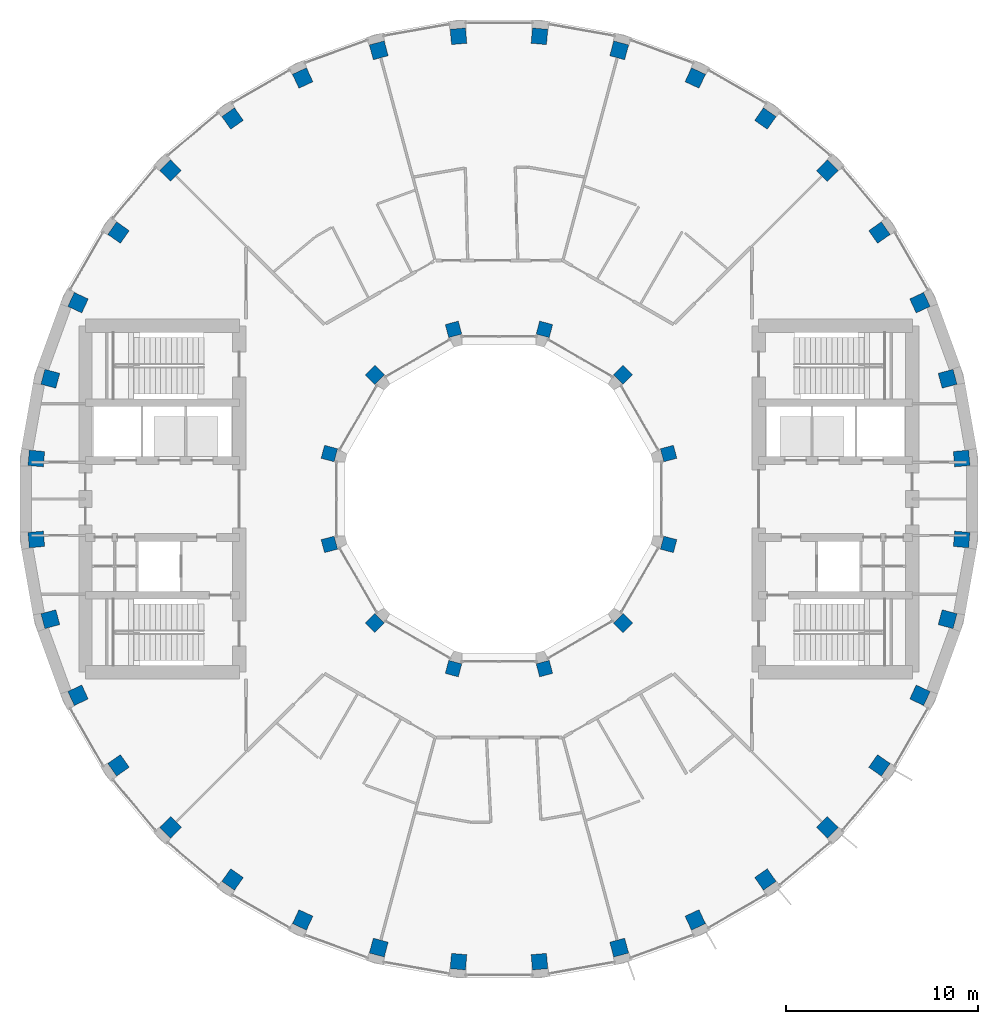
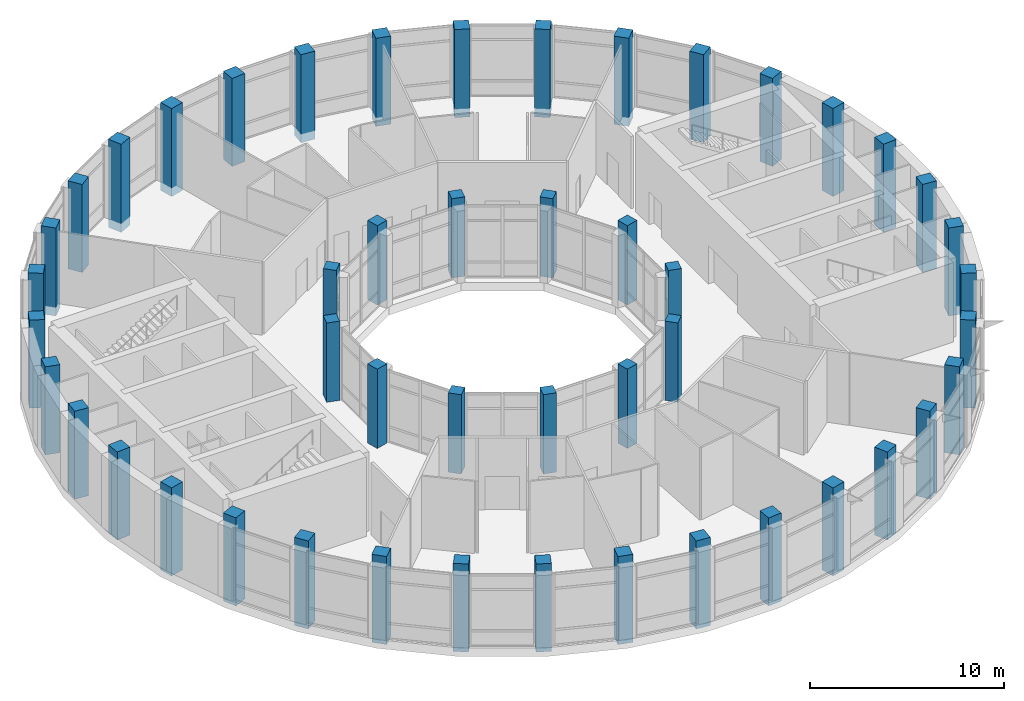
# One storey, part 1 of 18: 48 columns.
"""IFC4 building model written with IfcOpenShell, lengths in metres."""

from ifc_helpers import new_model, si_unit, direction, frame, origin, origin_2d, place, context, subcontext, project, spatial, rectangle, extrude, material, material_profile, profile_set, type_object, element, save


model = new_model("IFC4")

# Units and contexts
model_context = context("Model", 3, precision=1e-05, world=origin(), true_north=direction((0.0, 1.0)))
body_context = subcontext(model_context, "Body", "Model", "MODEL_VIEW")
ifc_project = project(units=[si_unit("LENGTHUNIT", "METRE"), si_unit("AREAUNIT", "SQUARE_METRE"), si_unit("VOLUMEUNIT", "CUBIC_METRE"), si_unit("PLANEANGLEUNIT", "RADIAN"), si_unit("MASSUNIT", "GRAM", prefix="KILO")], contexts=[model_context])

# Site, building, storey
site_placement = place(None, origin())
site = spatial("IfcSite", under=ifc_project, at=site_placement, CompositionType="ELEMENT")
building_placement = place(site_placement, origin())
building = spatial("IfcBuilding", under=site, at=building_placement, Name="Saqina Gate Tower", CompositionType="ELEMENT")
storey_placement = place(building_placement, frame((0.0, 0.0, 155.800048828125)))
storey = spatial("IfcBuildingStorey", under=building, at=storey_placement, Name="L44", CompositionType="ELEMENT", Elevation=155.800048828125)

# Columns
ifc_material_1 = material(Name="Concrete C60/75", Category="concrete")
ifc_material_profile_1 = material_profile(ifc_material_1, rectangle(XDim=0.699951171875, YDim=0.699951171875, at=origin_2d()), Name="RC 700x700")
ifc_profile_set_1 = profile_set([ifc_material_profile_1], Name="Concrete C60/75")
column_type_1 = type_object("IfcColumnType", Name="STR-COL-IN-C", PredefinedType="COLUMN", material=ifc_profile_set_1)
for number, where, z_axis, x_axis, name in (
    (1, (8.821044921875, 2.363525390625, 0.0), (0.0, 0.0, 1.0), (0.965925826289, 0.258819045103, 0.0), "L44-ICL01"),
    (2, (6.45751953125, 6.45751953125, 0.0), (0.0, 0.0, 1.0), (0.707106781187, 0.707106781187, 0.0), "L44-ICL02"),
    (3, (2.363525390625, 8.821044921875, 0.0), (0.0, 0.0, 1.0), (0.258819045103, 0.965925826289, 0.0), "L44-ICL03"),
    (4, (-2.363525390625, 8.821044921875, 0.0), (0.0, 0.0, 1.0), (-0.258819045103, 0.965925826289, 0.0), "L44-ICL04"),
    (5, (-6.45751953125, 6.45751953125, 0.0), (0.0, 0.0, 1.0), (-0.707106781187, 0.707106781187, 0.0), "L44-ICL05"),
    (6, (-8.821044921875, 2.363525390625, 0.0), (0.0, 0.0, 1.0), (-0.965925826289, 0.258819045103, 0.0), "L44-ICL06"),
    (7, (-8.821044921875, -2.363525390625, 0.0), (0.0, 0.0, 1.0), (-0.965925826289, -0.258819045103, 0.0), "L44-ICL07"),
    (8, (-6.45751953125, -6.45751953125, 0.0), (0.0, 0.0, 1.0), (-0.707106781187, -0.707106781187, 0.0), "L44-ICL08"),
    (9, (-2.363525390625, -8.821044921875, 0.0), (0.0, 0.0, 1.0), (-0.258819045103, -0.965925826289, 0.0), "L44-ICL09"),
    (10, (2.363525390625, -8.821044921875, 0.0), (0.0, 0.0, 1.0), (0.258819045103, -0.965925826289, 0.0), "L44-ICL10"),
    (11, (6.45751953125, -6.45751953125, 0.0), (0.0, 0.0, 1.0), (0.707106781187, -0.707106781187, 0.0), "L44-ICL11"),
    (12, (8.821044921875, -2.363525390625, 0.0), (0.0, 0.0, 1.0), (0.965925826289, -0.258819045103, 0.0), "L44-ICL12"),
):
    element("IfcColumn", number, at=place(storey_placement, frame(where, z_axis=z_axis, x_axis=x_axis)), inside=storey, type_object=column_type_1, Name=name, PredefinedType="COLUMN", context=body_context, shape_type="SweptSolid", body=[
        extrude(rectangle(XDim=0.699951171875, YDim=0.699951171875, at=origin_2d()), origin(), (0.0, 0.0, 1.0), 5.0),
    ])
ifc_material_2 = material(Name="Concrete C60/75", Category="concrete")
ifc_material_profile_2 = material_profile(ifc_material_2, rectangle(XDim=0.800048828125, YDim=0.800048828125, at=origin_2d()), Name="RC 800x800")
ifc_profile_set_2 = profile_set([ifc_material_profile_2], Name="Concrete C60/75")
column_type_2 = type_object("IfcColumnType", Name="STR-COL-OUT-C", PredefinedType="COLUMN", material=ifc_profile_set_2)
for number, where, z_axis, x_axis, name in (
    (13, (24.05810546875, 2.104736328125, -0.550048828125), (0.0, 0.0, 1.0), (0.996194698092, 0.087155742748, 0.0), "L44-COL01"),
    (14, (23.3271484375, 6.25048828125, -0.550048828125), (0.0, 0.0, 1.0), (0.965925826289, 0.258819045103, 0.0), "L44-COL02"),
    (15, (21.887451171875, 10.206298828125, -0.550048828125), (0.0, 0.0, 1.0), (0.906307787037, 0.422618261741, 0.0), "L44-COL03"),
    (16, (19.782470703125, 13.851806640625, -0.550048828125), (0.0, 0.0, 1.0), (0.819152044289, 0.573576436351, 0.0), "L44-COL04"),
    (17, (17.07666015625, 17.07666015625, -0.550048828125), (0.0, 0.0, 1.0), (0.707106781187, 0.707106781187, 0.0), "L44-COL05"),
    (18, (13.851806640625, 19.782470703125, -0.550048828125), (0.0, 0.0, 1.0), (0.573576436351, 0.819152044289, 0.0), "L44-COL06"),
    (19, (10.206298828125, 21.887451171875, -0.550048828125), (0.0, 0.0, 1.0), (0.422618261741, 0.906307787037, 0.0), "L44-COL07"),
    (20, (6.25048828125, 23.3271484375, -0.550048828125), (0.0, 0.0, 1.0), (0.258819045103, 0.965925826289, 0.0), "L44-COL08"),
    (21, (2.104736328125, 24.05810546875, -0.550048828125), (0.0, 0.0, 1.0), (0.087155742748, 0.996194698092, 0.0), "L44-COL09"),
    (22, (-2.104736328125, 24.05810546875, -0.550048828125), (0.0, 0.0, 1.0), (-0.087155742748, 0.996194698092, 0.0), "L44-COL10"),
    (23, (-6.25048828125, 23.3271484375, -0.550048828125), (0.0, 0.0, 1.0), (-0.258819045103, 0.965925826289, 0.0), "L44-COL11"),
    (24, (-10.206298828125, 21.887451171875, -0.550048828125), (0.0, 0.0, 1.0), (-0.422618261741, 0.906307787037, 0.0), "L44-COL12"),
    (25, (-13.851806640625, 19.782470703125, -0.550048828125), (0.0, 0.0, 1.0), (-0.573576436351, 0.819152044289, 0.0), "L44-COL13"),
    (26, (-17.07666015625, 17.07666015625, -0.550048828125), (0.0, 0.0, 1.0), (-0.707106781187, 0.707106781187, 0.0), "L44-COL14"),
    (27, (-19.782470703125, 13.851806640625, -0.550048828125), (0.0, 0.0, 1.0), (-0.819152044289, 0.573576436351, 0.0), "L44-COL15"),
    (28, (-21.887451171875, 10.206298828125, -0.550048828125), (0.0, 0.0, 1.0), (-0.906307787037, 0.422618261741, 0.0), "L44-COL16"),
    (29, (-23.3271484375, 6.25048828125, -0.550048828125), (0.0, 0.0, 1.0), (-0.965925826289, 0.258819045103, 0.0), "L44-COL17"),
    (30, (-24.05810546875, 2.104736328125, -0.550048828125), (0.0, 0.0, 1.0), (-0.996194698092, 0.087155742748, 0.0), "L44-COL18"),
    (31, (-24.05810546875, -2.104736328125, -0.550048828125), (0.0, 0.0, 1.0), (-0.996194698092, -0.087155742748, 0.0), "L44-COL19"),
    (32, (-23.3271484375, -6.25048828125, -0.550048828125), (0.0, 0.0, 1.0), (-0.965925826289, -0.258819045103, 0.0), "L44-COL20"),
    (33, (-21.887451171875, -10.206298828125, -0.550048828125), (0.0, 0.0, 1.0), (-0.906307787037, -0.422618261741, 0.0), "L44-COL21"),
    (34, (-19.782470703125, -13.851806640625, -0.550048828125), (0.0, 0.0, 1.0), (-0.819152044289, -0.573576436351, 0.0), "L44-COL22"),
    (35, (-17.07666015625, -17.07666015625, -0.550048828125), (0.0, 0.0, 1.0), (-0.707106781187, -0.707106781187, 0.0), "L44-COL23"),
    (36, (-13.851806640625, -19.782470703125, -0.550048828125), (0.0, 0.0, 1.0), (-0.573576436351, -0.819152044289, 0.0), "L44-COL24"),
    (37, (-10.206298828125, -21.887451171875, -0.550048828125), (0.0, 0.0, 1.0), (-0.422618261741, -0.906307787037, 0.0), "L44-COL25"),
    (38, (-6.25048828125, -23.3271484375, -0.550048828125), (0.0, 0.0, 1.0), (-0.258819045103, -0.965925826289, 0.0), "L44-COL26"),
    (39, (-2.104736328125, -24.05810546875, -0.550048828125), (0.0, 0.0, 1.0), (-0.087155742748, -0.996194698092, 0.0), "L44-COL27"),
    (40, (2.104736328125, -24.05810546875, -0.550048828125), (0.0, 0.0, 1.0), (0.087155742748, -0.996194698092, 0.0), "L44-COL28"),
    (41, (6.25048828125, -23.3271484375, -0.550048828125), (0.0, 0.0, 1.0), (0.258819045103, -0.965925826289, 0.0), "L44-COL29"),
    (42, (10.206298828125, -21.887451171875, -0.550048828125), (0.0, 0.0, 1.0), (0.422618261741, -0.906307787037, 0.0), "L44-COL30"),
    (43, (13.851806640625, -19.782470703125, -0.550048828125), (0.0, 0.0, 1.0), (0.573576436351, -0.819152044289, 0.0), "L44-COL31"),
    (44, (17.07666015625, -17.07666015625, -0.550048828125), (0.0, 0.0, 1.0), (0.707106781187, -0.707106781187, 0.0), "L44-COL32"),
    (45, (19.782470703125, -13.851806640625, -0.550048828125), (0.0, 0.0, 1.0), (0.819152044289, -0.573576436351, 0.0), "L44-COL33"),
    (46, (21.887451171875, -10.206298828125, -0.550048828125), (0.0, 0.0, 1.0), (0.906307787037, -0.422618261741, 0.0), "L44-COL34"),
    (47, (23.3271484375, -6.25048828125, -0.550048828125), (0.0, 0.0, 1.0), (0.965925826289, -0.258819045103, 0.0), "L44-COL35"),
    (48, (24.05810546875, -2.104736328125, -0.550048828125), (0.0, 0.0, 1.0), (0.996194698092, -0.087155742748, 0.0), "L44-COL36"),
):
    element("IfcColumn", number, at=place(storey_placement, frame(where, z_axis=z_axis, x_axis=x_axis)), inside=storey, type_object=column_type_2, Name=name, PredefinedType="COLUMN", context=body_context, shape_type="SweptSolid", body=[
        extrude(rectangle(XDim=0.800048828125, YDim=0.800048828125, at=origin_2d()), origin(), (0.0, 0.0, 1.0), 5.550048828125),
    ])

save(model, "model.ifc")
